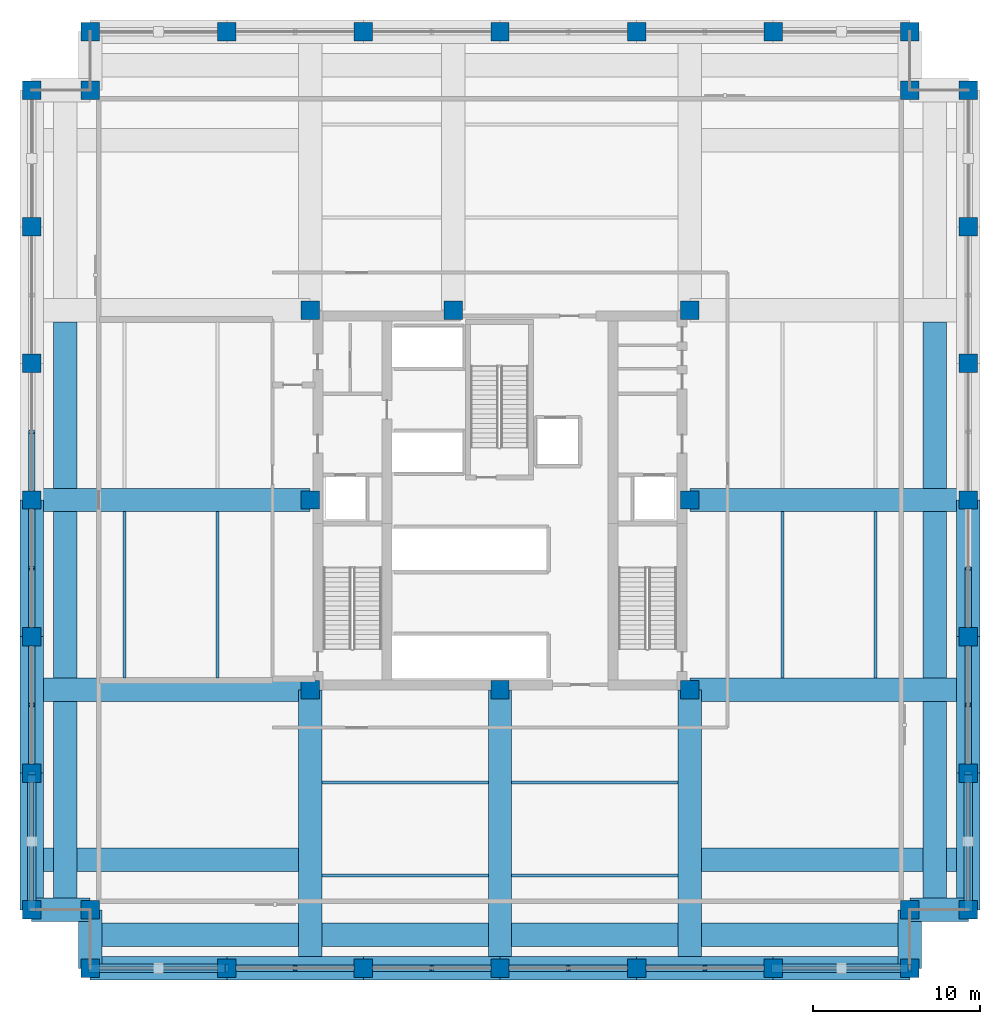
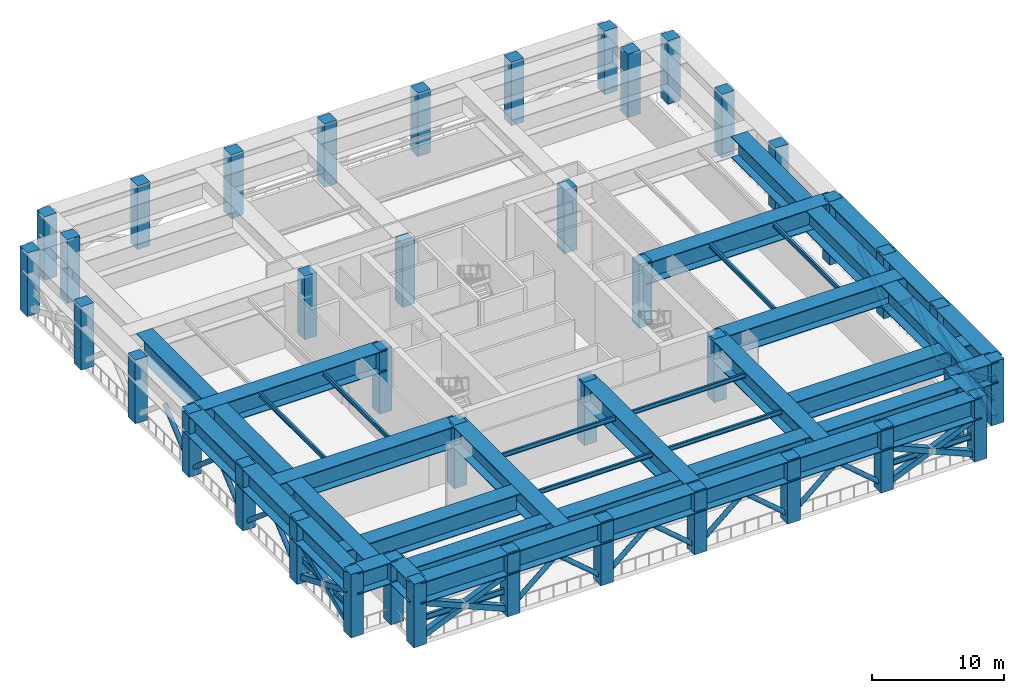
# One storey, part 1 of 12: 44 beams, 40 columns, 28 members.
"""IFC4 building model written with IfcOpenShell, lengths in metres."""

from ifc_helpers import new_model, si_unit, direction, frame, origin, origin_2d, place, context, subcontext, project, spatial, rectangle, hollow_rectangle, hollow_circle, i_section, extrude, material, material_profile, profile_set, type_object, element, save


model = new_model("IFC4")

# Units and contexts
model_context = context("Model", 3, precision=1e-05, world=origin(), true_north=direction((0.0, 1.0)))
body_context = subcontext(model_context, "Body", "Model", "MODEL_VIEW")
ifc_project = project(units=[si_unit("LENGTHUNIT", "METRE"), si_unit("AREAUNIT", "SQUARE_METRE"), si_unit("VOLUMEUNIT", "CUBIC_METRE"), si_unit("PLANEANGLEUNIT", "RADIAN"), si_unit("MASSUNIT", "GRAM", prefix="KILO")], contexts=[model_context])

# Site, building, storey
site_placement = place(None, origin())
site = spatial("IfcSite", under=ifc_project, at=site_placement, CompositionType="ELEMENT")
building_placement = place(site_placement, origin())
building = spatial("IfcBuilding", under=site, at=building_placement, Name="Nhamokura Convention Tower", CompositionType="ELEMENT")
storey_placement = place(building_placement, frame((0.0, 0.0, 99.75)))
storey = spatial("IfcBuildingStorey", under=building, at=storey_placement, Name="L24", CompositionType="ELEMENT", Elevation=99.75)

# Columns
ifc_material_1 = material(Name="Concrete C60/75", Category="concrete")
ifc_material_profile_1 = material_profile(ifc_material_1, rectangle(XDim=1.10009765625, YDim=1.10009765625, at=origin_2d()))
ifc_profile_set_1 = profile_set([ifc_material_profile_1], Name="Concrete C60/75")
column_type = type_object("IfcColumnType", Name="TubeColumn_Z1_1100", PredefinedType="COLUMN", material=ifc_profile_set_1)
for number, where, z_axis, x_axis, name in (
    (1, (20.64990234375, 20.64990234375, 0.0), (0.0, 0.0, 1.0), (1.0, 0.0, 0.0), "L24 Core Column CC-SW"),
    (2, (32.0, 20.64990234375, 0.0), (0.0, 0.0, 1.0), (1.0, 0.0, 0.0), "L24 Core Column CC-S"),
    (3, (43.35009765625, 20.64990234375, 0.0), (0.0, 0.0, 1.0), (1.0, 0.0, 0.0), "L24 Core Column CC-SE"),
    (4, (43.35009765625, 32.0, 0.0), (0.0, 0.0, 1.0), (1.0, 0.0, 0.0), "L24 Core Column CC-E"),
    (5, (43.35009765625, 43.35009765625, 0.0), (0.0, 0.0, 1.0), (1.0, 0.0, 0.0), "L24 Core Column CC-NE"),
    (6, (29.199951171875, 43.35009765625, 0.0), (0.0, 0.0, 1.0), (1.0, 0.0, 0.0), "L24 Core Column CC-N"),
    (7, (20.64990234375, 43.35009765625, 0.0), (0.0, 0.0, 1.0), (1.0, 0.0, 0.0), "L24 Core Column CC-NW"),
    (8, (20.64990234375, 32.0, 0.0), (0.0, 0.0, 1.0), (1.0, 0.0, 0.0), "L24 Core Column CC-W"),
    (9, (7.5, 4.0, 0.0), (0.0, 0.0, 1.0), (1.0, 0.0, 0.0), "L24 Perimeter Tube Column SW1"),
    (10, (7.5, 7.5, 0.0), (0.0, 0.0, 1.0), (1.0, 0.0, 0.0), "L24 Perimeter Tube Column SW0"),
    (11, (4.0, 7.5, 0.0), (0.0, 0.0, 1.0), (1.0, 0.0, 0.0), "L24 Perimeter Tube Column SW2"),
    (12, (56.5, 4.0, 0.0), (0.0, 0.0, 1.0), (1.0, 0.0, 0.0), "L24 Perimeter Tube Column SE1"),
    (13, (56.5, 7.5, 0.0), (0.0, 0.0, 1.0), (1.0, 0.0, 0.0), "L24 Perimeter Tube Column SE0"),
    (14, (60.0, 7.5, 0.0), (0.0, 0.0, 1.0), (1.0, 0.0, 0.0), "L24 Perimeter Tube Column SE2"),
    (15, (60.0, 56.5, 0.0), (0.0, 0.0, 1.0), (1.0, 0.0, 0.0), "L24 Perimeter Tube Column NE1"),
    (16, (56.5, 56.5, 0.0), (0.0, 0.0, 1.0), (1.0, 0.0, 0.0), "L24 Perimeter Tube Column NE0"),
    (17, (56.5, 60.0, 0.0), (0.0, 0.0, 1.0), (1.0, 0.0, 0.0), "L24 Perimeter Tube Column NE2"),
    (18, (7.5, 60.0, 0.0), (0.0, 0.0, 1.0), (1.0, 0.0, 0.0), "L24 Perimeter Tube Column NW1"),
    (19, (7.5, 56.5, 0.0), (0.0, 0.0, 1.0), (1.0, 0.0, 0.0), "L24 Perimeter Tube Column NW0"),
    (20, (4.0, 56.5, 0.0), (0.0, 0.0, 1.0), (1.0, 0.0, 0.0), "L24 Perimeter Tube Column NW2"),
    (21, (15.666748046875, 4.0, 0.0), (0.0, 0.0, 1.0), (1.0, 0.0, 0.0), "L24 Perimeter Tube Column S1"),
    (22, (15.666748046875, 60.0, 0.0), (0.0, 0.0, 1.0), (1.0, 0.0, 0.0), "L24 Perimeter Tube Column N1"),
    (23, (4.0, 15.666748046875, 0.0), (0.0, 0.0, 1.0), (1.0, 0.0, 0.0), "L24 Perimeter Tube Column W1"),
    (24, (60.0, 15.666748046875, 0.0), (0.0, 0.0, 1.0), (1.0, 0.0, 0.0), "L24 Perimeter Tube Column E1"),
    (25, (23.833251953125, 4.0, 0.0), (0.0, 0.0, 1.0), (1.0, 0.0, 0.0), "L24 Perimeter Tube Column S2"),
    (26, (23.833251953125, 60.0, 0.0), (0.0, 0.0, 1.0), (1.0, 0.0, 0.0), "L24 Perimeter Tube Column N2"),
    (27, (4.0, 23.833251953125, 0.0), (0.0, 0.0, 1.0), (1.0, 0.0, 0.0), "L24 Perimeter Tube Column W2"),
    (28, (60.0, 23.833251953125, 0.0), (0.0, 0.0, 1.0), (1.0, 0.0, 0.0), "L24 Perimeter Tube Column E2"),
    (29, (32.0, 4.0, 0.0), (0.0, 0.0, 1.0), (1.0, 0.0, 0.0), "L24 Perimeter Tube Column S3"),
    (30, (32.0, 60.0, 0.0), (0.0, 0.0, 1.0), (1.0, 0.0, 0.0), "L24 Perimeter Tube Column N3"),
    (31, (4.0, 32.0, 0.0), (0.0, 0.0, 1.0), (1.0, 0.0, 0.0), "L24 Perimeter Tube Column W3"),
    (32, (60.0, 32.0, 0.0), (0.0, 0.0, 1.0), (1.0, 0.0, 0.0), "L24 Perimeter Tube Column E3"),
    (33, (40.166748046875, 4.0, 0.0), (0.0, 0.0, 1.0), (1.0, 0.0, 0.0), "L24 Perimeter Tube Column S4"),
    (34, (40.166748046875, 60.0, 0.0), (0.0, 0.0, 1.0), (1.0, 0.0, 0.0), "L24 Perimeter Tube Column N4"),
    (35, (4.0, 40.166748046875, 0.0), (0.0, 0.0, 1.0), (1.0, 0.0, 0.0), "L24 Perimeter Tube Column W4"),
    (36, (60.0, 40.166748046875, 0.0), (0.0, 0.0, 1.0), (1.0, 0.0, 0.0), "L24 Perimeter Tube Column E4"),
    (37, (48.333251953125, 4.0, 0.0), (0.0, 0.0, 1.0), (1.0, 0.0, 0.0), "L24 Perimeter Tube Column S5"),
    (38, (48.333251953125, 60.0, 0.0), (0.0, 0.0, 1.0), (1.0, 0.0, 0.0), "L24 Perimeter Tube Column N5"),
    (39, (4.0, 48.333251953125, 0.0), (0.0, 0.0, 1.0), (1.0, 0.0, 0.0), "L24 Perimeter Tube Column W5"),
    (40, (60.0, 48.333251953125, 0.0), (0.0, 0.0, 1.0), (1.0, 0.0, 0.0), "L24 Perimeter Tube Column E5"),
):
    element("IfcColumn", number, at=place(storey_placement, frame(where, z_axis=z_axis, x_axis=x_axis)), inside=storey, type_object=column_type, Name=name, PredefinedType="COLUMN", context=body_context, shape_type="SweptSolid", body=[
        extrude(rectangle(XDim=1.10009765625, YDim=1.10009765625, at=origin_2d()), origin(), (0.0, 0.0, 1.0), 5.8798828125),
    ])

# Beams
ifc_material_2 = material(Name="Steel ASTM A992 Gr 50", Category="steel")
ifc_material_profile_2 = material_profile(ifc_material_2, i_section(OverallWidth=0.177001953125, OverallDepth=0.403076171875, WebThickness=0.007568359375, FlangeThickness=0.010986328125, at=origin_2d()))
ifc_profile_set_2 = profile_set([ifc_material_profile_2], Name="Steel ASTM A992 Gr 50")
beam_type_1 = type_object("IfcBeamType", Name="FloorJoist_W410X53", PredefinedType="JOIST", material=ifc_profile_set_2)
for number, where, z_axis, x_axis, name in (
    (41, (21.347900390625, 9.550048828125, 5.678466796875), (1.0, 0.0, 0.0), (0.0, 1.0, 0.0), "L24 Composite Floor Joist S1A"),
    (42, (32.697998046875, 9.550048828125, 5.678466796875), (1.0, 0.0, 0.0), (0.0, 1.0, 0.0), "L24 Composite Floor Joist S1B"),
    (43, (21.347900390625, 15.10009765625, 5.678466796875), (1.0, 0.0, 0.0), (0.0, 1.0, 0.0), "L24 Composite Floor Joist S2A"),
    (44, (32.697998046875, 15.10009765625, 5.678466796875), (1.0, 0.0, 0.0), (0.0, 1.0, 0.0), "L24 Composite Floor Joist S2B"),
    (45, (9.550048828125, 21.347900390625, 5.678466796875), (0.0, 1.0, 0.0), (-1.0, 0.0, 0.0), "L24 Composite Floor Joist W1A"),
    (46, (15.10009765625, 21.347900390625, 5.678466796875), (0.0, 1.0, 0.0), (-1.0, 0.0, 0.0), "L24 Composite Floor Joist W2A"),
    (47, (48.89990234375, 21.347900390625, 5.678466796875), (0.0, 1.0, 0.0), (-1.0, 0.0, 0.0), "L24 Composite Floor Joist E1A"),
    (48, (54.449951171875, 21.347900390625, 5.678466796875), (0.0, 1.0, 0.0), (-1.0, 0.0, 0.0), "L24 Composite Floor Joist E2A"),
):
    element("IfcBeam", number, at=place(storey_placement, frame(where, z_axis=z_axis, x_axis=x_axis)), inside=storey, type_object=beam_type_1, Name=name, PredefinedType="JOIST", context=body_context, shape_type="SweptSolid", body=[
        extrude(i_section(OverallWidth=0.177001953125, OverallDepth=0.403076171875, WebThickness=0.007568359375, FlangeThickness=0.010986328125, at=origin_2d()), origin(), (0.0, 0.0, 1.0), 9.9541015625),
    ])

# Members
ifc_material_3 = material(Name="Steel ASTM A572 Gr 50", Category="steel")
ifc_material_profile_3 = material_profile(ifc_material_3, hollow_rectangle(XDim=0.5, YDim=0.5, WallThickness=0.02490234375, at=origin_2d()))
ifc_profile_set_3 = profile_set([ifc_material_profile_3], Name="Steel ASTM A572 Gr 50")
member_type_1 = type_object("IfcMemberType", Name="OutriggerBrace_HSS500", PredefinedType="BRACE", material=ifc_profile_set_3)
member_1_placement = place(storey_placement, frame((7.5, 4.0, 0.35009765625), z_axis=(0.919960988503, 0.0, 0.392009922876), x_axis=(0.0, 1.0, 0.0)))
element("IfcMember", 49, at=member_1_placement, inside=storey, type_object=member_type_1, Name="L24 Continuous Outrigger Diagonal OUT-S0-1", PredefinedType="BRACE", context=body_context, shape_type="SweptSolid", body=[
    extrude(hollow_rectangle(XDim=0.5, YDim=0.5, WallThickness=0.02490234375, at=origin_2d()), origin(), (0.0, 0.0, 1.0), 8.877197265625),
])
member_2_placement = place(storey_placement, frame((7.5, 4.0, 3.830078125), z_axis=(0.9199567621, 0.0, -0.392019841165), x_axis=(0.0, 1.0, 0.0)))
element("IfcMember", 50, at=member_2_placement, inside=storey, type_object=member_type_1, Name="L24 Split Outrigger Diagonal OUT-S0-2A", PredefinedType="BRACE", context=body_context, shape_type="SweptSolid", body=[
    extrude(hollow_rectangle(XDim=0.5, YDim=0.5, WallThickness=0.02490234375, at=origin_2d()), origin(), (0.0, 0.0, 1.0), 4.4384765625),
])
member_3_placement = place(storey_placement, frame((11.583251953125, 4.0, 2.090087890625), z_axis=(0.919965214585, 0.0, -0.392000005043), x_axis=(0.0, 1.0, 0.0)))
element("IfcMember", 51, at=member_3_placement, inside=storey, type_object=member_type_1, Name="L24 Split Outrigger Diagonal OUT-S0-2B", PredefinedType="BRACE", context=body_context, shape_type="SweptSolid", body=[
    extrude(hollow_rectangle(XDim=0.5, YDim=0.5, WallThickness=0.02490234375, at=origin_2d()), origin(), (0.0, 0.0, 1.0), 4.438720703125),
])
member_4_placement = place(storey_placement, frame((48.333251953125, 4.0, 0.35009765625), z_axis=(0.919960988503, 0.0, 0.392009922876), x_axis=(0.0, 1.0, 0.0)))
element("IfcMember", 52, at=member_4_placement, inside=storey, type_object=member_type_1, Name="L24 Continuous Outrigger Diagonal OUT-S5-1", PredefinedType="BRACE", context=body_context, shape_type="SweptSolid", body=[
    extrude(hollow_rectangle(XDim=0.5, YDim=0.5, WallThickness=0.02490234375, at=origin_2d()), origin(), (0.0, 0.0, 1.0), 8.877197265625),
])
member_5_placement = place(storey_placement, frame((48.333251953125, 4.0, 3.830078125), z_axis=(0.919965214585, 0.0, -0.392000005043), x_axis=(0.0, 1.0, 0.0)))
element("IfcMember", 53, at=member_5_placement, inside=storey, type_object=member_type_1, Name="L24 Split Outrigger Diagonal OUT-S5-2A", PredefinedType="BRACE", context=body_context, shape_type="SweptSolid", body=[
    extrude(hollow_rectangle(XDim=0.5, YDim=0.5, WallThickness=0.02490234375, at=origin_2d()), origin(), (0.0, 0.0, 1.0), 4.438720703125),
])
member_6_placement = place(storey_placement, frame((52.416748046875, 4.0, 2.090087890625), z_axis=(0.9199567621, 0.0, -0.392019841165), x_axis=(0.0, 1.0, 0.0)))
element("IfcMember", 54, at=member_6_placement, inside=storey, type_object=member_type_1, Name="L24 Split Outrigger Diagonal OUT-S5-2B", PredefinedType="BRACE", context=body_context, shape_type="SweptSolid", body=[
    extrude(hollow_rectangle(XDim=0.5, YDim=0.5, WallThickness=0.02490234375, at=origin_2d()), origin(), (0.0, 0.0, 1.0), 4.4384765625),
])
member_7_placement = place(storey_placement, frame((4.0, 7.5, 0.35009765625), z_axis=(0.0, 0.919960988503, 0.392009922876), x_axis=(-1.0, 0.0, 0.0)))
element("IfcMember", 55, at=member_7_placement, inside=storey, type_object=member_type_1, Name="L24 Continuous Outrigger Diagonal OUT-W0-1", PredefinedType="BRACE", context=body_context, shape_type="SweptSolid", body=[
    extrude(hollow_rectangle(XDim=0.5, YDim=0.5, WallThickness=0.02490234375, at=origin_2d()), origin(), (0.0, 0.0, 1.0), 8.877197265625),
])
member_8_placement = place(storey_placement, frame((4.0, 7.5, 3.830078125), z_axis=(0.0, 0.9199567621, -0.392019841165), x_axis=(-1.0, 0.0, 0.0)))
element("IfcMember", 56, at=member_8_placement, inside=storey, type_object=member_type_1, Name="L24 Split Outrigger Diagonal OUT-W0-2A", PredefinedType="BRACE", context=body_context, shape_type="SweptSolid", body=[
    extrude(hollow_rectangle(XDim=0.5, YDim=0.5, WallThickness=0.02490234375, at=origin_2d()), origin(), (0.0, 0.0, 1.0), 4.4384765625),
])
member_9_placement = place(storey_placement, frame((4.0, 11.583251953125, 2.090087890625), z_axis=(0.0, 0.919965214585, -0.392000005043), x_axis=(-1.0, 0.0, 0.0)))
element("IfcMember", 57, at=member_9_placement, inside=storey, type_object=member_type_1, Name="L24 Split Outrigger Diagonal OUT-W0-2B", PredefinedType="BRACE", context=body_context, shape_type="SweptSolid", body=[
    extrude(hollow_rectangle(XDim=0.5, YDim=0.5, WallThickness=0.02490234375, at=origin_2d()), origin(), (0.0, 0.0, 1.0), 4.438720703125),
])
member_10_placement = place(storey_placement, frame((60.0, 7.5, 0.35009765625), z_axis=(0.0, 0.919960988503, 0.392009922876), x_axis=(-1.0, 0.0, 0.0)))
element("IfcMember", 58, at=member_10_placement, inside=storey, type_object=member_type_1, Name="L24 Continuous Outrigger Diagonal OUT-E0-1", PredefinedType="BRACE", context=body_context, shape_type="SweptSolid", body=[
    extrude(hollow_rectangle(XDim=0.5, YDim=0.5, WallThickness=0.02490234375, at=origin_2d()), origin(), (0.0, 0.0, 1.0), 8.877197265625),
])
member_11_placement = place(storey_placement, frame((60.0, 7.5, 3.830078125), z_axis=(0.0, 0.9199567621, -0.392019841165), x_axis=(-1.0, 0.0, 0.0)))
element("IfcMember", 59, at=member_11_placement, inside=storey, type_object=member_type_1, Name="L24 Split Outrigger Diagonal OUT-E0-2A", PredefinedType="BRACE", context=body_context, shape_type="SweptSolid", body=[
    extrude(hollow_rectangle(XDim=0.5, YDim=0.5, WallThickness=0.02490234375, at=origin_2d()), origin(), (0.0, 0.0, 1.0), 4.4384765625),
])
member_12_placement = place(storey_placement, frame((60.0, 11.583251953125, 2.090087890625), z_axis=(0.0, 0.919965214585, -0.392000005043), x_axis=(-1.0, 0.0, 0.0)))
element("IfcMember", 60, at=member_12_placement, inside=storey, type_object=member_type_1, Name="L24 Split Outrigger Diagonal OUT-E0-2B", PredefinedType="BRACE", context=body_context, shape_type="SweptSolid", body=[
    extrude(hollow_rectangle(XDim=0.5, YDim=0.5, WallThickness=0.02490234375, at=origin_2d()), origin(), (0.0, 0.0, 1.0), 4.438720703125),
])

# Beams
ifc_material_4 = material(Name="Steel ASTM A992 Gr 50", Category="steel")
ifc_material_profile_4 = material_profile(ifc_material_4, i_section(OverallWidth=0.208984375, OverallDepth=0.532958984375, WebThickness=0.01025390625, FlangeThickness=0.015625, at=origin_2d()))
ifc_profile_set_4 = profile_set([ifc_material_profile_4], Name="Steel ASTM A992 Gr 50")
beam_type_2 = type_object("IfcBeamType", Name="PrimaryGirder_W530X92", PredefinedType="BEAM", material=ifc_profile_set_4)
for number, where, z_axis, x_axis, name in (
    (61, (7.5, 4.0, 2.090087890625), (1.0, 0.0, 0.0), (0.0, 1.0, 0.0), "L24 Outrigger X-Brace Node Tie Beam OUT-S0"),
    (62, (48.333251953125, 4.0, 2.090087890625), (1.0, 0.0, 0.0), (0.0, 1.0, 0.0), "L24 Outrigger X-Brace Node Tie Beam OUT-S5"),
    (63, (4.0, 7.5, 2.090087890625), (0.0, 1.0, 0.0), (-1.0, 0.0, 0.0), "L24 Outrigger X-Brace Node Tie Beam OUT-W0"),
    (64, (60.0, 7.5, 2.090087890625), (0.0, 1.0, 0.0), (-1.0, 0.0, 0.0), "L24 Outrigger X-Brace Node Tie Beam OUT-E0"),
):
    element("IfcBeam", number, at=place(storey_placement, frame(where, z_axis=z_axis, x_axis=x_axis)), inside=storey, type_object=beam_type_2, Name=name, PredefinedType="BEAM", context=body_context, shape_type="SweptSolid", body=[
        extrude(i_section(OverallWidth=0.208984375, OverallDepth=0.532958984375, WebThickness=0.01025390625, FlangeThickness=0.015625, at=origin_2d()), origin(), (0.0, 0.0, 1.0), 8.166748046875),
    ])
ifc_material_5 = material(Name="Steel ASTM A572 Gr 50", Category="steel")
ifc_material_profile_5 = material_profile(ifc_material_5, i_section(OverallWidth=1.39990234375, OverallDepth=1.9599609375, WebThickness=0.054931640625, FlangeThickness=0.06005859375, at=origin_2d()))
ifc_profile_set_5 = profile_set([ifc_material_profile_5], Name="Steel ASTM A572 Gr 50")
beam_type_3 = type_object("IfcBeamType", Name="TransferGirder_2000", PredefinedType="USERDEFINED", material=ifc_profile_set_5)
beam_1_placement = place(storey_placement, frame((7.5, 4.0, 4.89990234375), z_axis=(1.0, 0.0, 0.0), x_axis=(0.0, 1.0, 0.0)))
element("IfcBeam", 65, at=beam_1_placement, inside=storey, type_object=beam_type_3, Name="L24 Perimeter Transfer Spandrel SOUTH 1", ObjectType="TRANSFER_GIRDER", PredefinedType="USERDEFINED", context=body_context, shape_type="SweptSolid", body=[
    extrude(i_section(OverallWidth=1.39990234375, OverallDepth=1.9599609375, WebThickness=0.054931640625, FlangeThickness=0.06005859375, at=origin_2d()), origin(), (0.0, 0.0, 1.0), 8.166748046875),
])
beam_2_placement = place(storey_placement, frame((15.666748046875, 4.0, 4.89990234375), z_axis=(1.0, 0.0, 0.0), x_axis=(0.0, 1.0, 0.0)))
element("IfcBeam", 66, at=beam_2_placement, inside=storey, type_object=beam_type_3, Name="L24 Perimeter Transfer Spandrel SOUTH 2", ObjectType="TRANSFER_GIRDER", PredefinedType="USERDEFINED", context=body_context, shape_type="SweptSolid", body=[
    extrude(i_section(OverallWidth=1.39990234375, OverallDepth=1.9599609375, WebThickness=0.054931640625, FlangeThickness=0.06005859375, at=origin_2d()), origin(), (0.0, 0.0, 1.0), 8.16650390625),
])
for number, where, z_axis, x_axis, name in (
    (67, (23.833251953125, 4.0, 4.89990234375), (1.0, 0.0, 0.0), (0.0, 1.0, 0.0), "L24 Perimeter Transfer Spandrel SOUTH 3"),
    (68, (32.0, 4.0, 4.89990234375), (1.0, 0.0, 0.0), (0.0, 1.0, 0.0), "L24 Perimeter Transfer Spandrel SOUTH 4"),
):
    element("IfcBeam", number, at=place(storey_placement, frame(where, z_axis=z_axis, x_axis=x_axis)), inside=storey, type_object=beam_type_3, Name=name, ObjectType="TRANSFER_GIRDER", PredefinedType="USERDEFINED", context=body_context, shape_type="SweptSolid", body=[
        extrude(i_section(OverallWidth=1.39990234375, OverallDepth=1.9599609375, WebThickness=0.054931640625, FlangeThickness=0.06005859375, at=origin_2d()), origin(), (0.0, 0.0, 1.0), 8.166748046875),
    ])
beam_3_placement = place(storey_placement, frame((40.166748046875, 4.0, 4.89990234375), z_axis=(1.0, 0.0, 0.0), x_axis=(0.0, 1.0, 0.0)))
element("IfcBeam", 69, at=beam_3_placement, inside=storey, type_object=beam_type_3, Name="L24 Perimeter Transfer Spandrel SOUTH 5", ObjectType="TRANSFER_GIRDER", PredefinedType="USERDEFINED", context=body_context, shape_type="SweptSolid", body=[
    extrude(i_section(OverallWidth=1.39990234375, OverallDepth=1.9599609375, WebThickness=0.054931640625, FlangeThickness=0.06005859375, at=origin_2d()), origin(), (0.0, 0.0, 1.0), 8.16650390625),
])
for number, where, z_axis, x_axis, name in (
    (70, (48.333251953125, 4.0, 4.89990234375), (1.0, 0.0, 0.0), (0.0, 1.0, 0.0), "L24 Perimeter Transfer Spandrel SOUTH 6"),
    (71, (4.0, 7.5, 4.89990234375), (0.0, 1.0, 0.0), (-1.0, 0.0, 0.0), "L24 Perimeter Transfer Spandrel WEST 1"),
):
    element("IfcBeam", number, at=place(storey_placement, frame(where, z_axis=z_axis, x_axis=x_axis)), inside=storey, type_object=beam_type_3, Name=name, ObjectType="TRANSFER_GIRDER", PredefinedType="USERDEFINED", context=body_context, shape_type="SweptSolid", body=[
        extrude(i_section(OverallWidth=1.39990234375, OverallDepth=1.9599609375, WebThickness=0.054931640625, FlangeThickness=0.06005859375, at=origin_2d()), origin(), (0.0, 0.0, 1.0), 8.166748046875),
    ])
beam_4_placement = place(storey_placement, frame((4.0, 15.666748046875, 4.89990234375), z_axis=(0.0, 1.0, 0.0), x_axis=(-1.0, 0.0, 0.0)))
element("IfcBeam", 72, at=beam_4_placement, inside=storey, type_object=beam_type_3, Name="L24 Perimeter Transfer Spandrel WEST 2", ObjectType="TRANSFER_GIRDER", PredefinedType="USERDEFINED", context=body_context, shape_type="SweptSolid", body=[
    extrude(i_section(OverallWidth=1.39990234375, OverallDepth=1.9599609375, WebThickness=0.054931640625, FlangeThickness=0.06005859375, at=origin_2d()), origin(), (0.0, 0.0, 1.0), 8.16650390625),
])
for number, where, z_axis, x_axis, name in (
    (73, (4.0, 23.833251953125, 4.89990234375), (0.0, 1.0, 0.0), (-1.0, 0.0, 0.0), "L24 Perimeter Transfer Spandrel WEST 3"),
    (74, (60.0, 7.5, 4.89990234375), (0.0, 1.0, 0.0), (-1.0, 0.0, 0.0), "L24 Perimeter Transfer Spandrel EAST 1"),
):
    element("IfcBeam", number, at=place(storey_placement, frame(where, z_axis=z_axis, x_axis=x_axis)), inside=storey, type_object=beam_type_3, Name=name, ObjectType="TRANSFER_GIRDER", PredefinedType="USERDEFINED", context=body_context, shape_type="SweptSolid", body=[
        extrude(i_section(OverallWidth=1.39990234375, OverallDepth=1.9599609375, WebThickness=0.054931640625, FlangeThickness=0.06005859375, at=origin_2d()), origin(), (0.0, 0.0, 1.0), 8.166748046875),
    ])
beam_5_placement = place(storey_placement, frame((60.0, 15.666748046875, 4.89990234375), z_axis=(0.0, 1.0, 0.0), x_axis=(-1.0, 0.0, 0.0)))
element("IfcBeam", 75, at=beam_5_placement, inside=storey, type_object=beam_type_3, Name="L24 Perimeter Transfer Spandrel EAST 2", ObjectType="TRANSFER_GIRDER", PredefinedType="USERDEFINED", context=body_context, shape_type="SweptSolid", body=[
    extrude(i_section(OverallWidth=1.39990234375, OverallDepth=1.9599609375, WebThickness=0.054931640625, FlangeThickness=0.06005859375, at=origin_2d()), origin(), (0.0, 0.0, 1.0), 8.16650390625),
])
beam_6_placement = place(storey_placement, frame((60.0, 23.833251953125, 4.89990234375), z_axis=(0.0, 1.0, 0.0), x_axis=(-1.0, 0.0, 0.0)))
element("IfcBeam", 76, at=beam_6_placement, inside=storey, type_object=beam_type_3, Name="L24 Perimeter Transfer Spandrel EAST 3", ObjectType="TRANSFER_GIRDER", PredefinedType="USERDEFINED", context=body_context, shape_type="SweptSolid", body=[
    extrude(i_section(OverallWidth=1.39990234375, OverallDepth=1.9599609375, WebThickness=0.054931640625, FlangeThickness=0.06005859375, at=origin_2d()), origin(), (0.0, 0.0, 1.0), 8.166748046875),
])
for number, where, z_axis, x_axis, name in (
    (77, (7.5, 4.0, 4.89990234375), (0.0, 1.0, 0.0), (-1.0, 0.0, 0.0), "L24 Notch Transfer Spandrel SW1"),
    (78, (7.5, 7.5, 4.89990234375), (-1.0, 0.0, 0.0), (0.0, -1.0, 0.0), "L24 Notch Transfer Spandrel SW2"),
    (79, (56.5, 4.0, 4.89990234375), (0.0, 1.0, 0.0), (-1.0, 0.0, 0.0), "L24 Notch Transfer Spandrel SE1"),
    (80, (56.5, 7.5, 4.89990234375), (1.0, 0.0, 0.0), (0.0, 1.0, 0.0), "L24 Notch Transfer Spandrel SE2"),
):
    element("IfcBeam", number, at=place(storey_placement, frame(where, z_axis=z_axis, x_axis=x_axis)), inside=storey, type_object=beam_type_3, Name=name, ObjectType="TRANSFER_GIRDER", PredefinedType="USERDEFINED", context=body_context, shape_type="SweptSolid", body=[
        extrude(i_section(OverallWidth=1.39990234375, OverallDepth=1.9599609375, WebThickness=0.054931640625, FlangeThickness=0.06005859375, at=origin_2d()), origin(), (0.0, 0.0, 1.0), 3.5),
    ])
beam_7_placement = place(storey_placement, frame((8.197998046875, 6.0, 4.89990234375), z_axis=(1.0, 0.0, 0.0), x_axis=(0.0, 1.0, 0.0)))
element("IfcBeam", 81, at=beam_7_placement, inside=storey, type_object=beam_type_3, Name="L24 Upper-Line Transfer Girder TGU-SW", ObjectType="TRANSFER_GIRDER", PredefinedType="USERDEFINED", context=body_context, shape_type="SweptSolid", body=[
    extrude(i_section(OverallWidth=1.39990234375, OverallDepth=1.9599609375, WebThickness=0.054931640625, FlangeThickness=0.06005859375, at=origin_2d()), origin(), (0.0, 0.0, 1.0), 11.75390625),
])
beam_8_placement = place(storey_placement, frame((21.347900390625, 6.0, 4.89990234375), z_axis=(1.0, 0.0, 0.0), x_axis=(0.0, 1.0, 0.0)))
element("IfcBeam", 82, at=beam_8_placement, inside=storey, type_object=beam_type_3, Name="L24 Upper-Line Transfer Girder TGU-SM", ObjectType="TRANSFER_GIRDER", PredefinedType="USERDEFINED", context=body_context, shape_type="SweptSolid", body=[
    extrude(i_section(OverallWidth=1.39990234375, OverallDepth=1.9599609375, WebThickness=0.054931640625, FlangeThickness=0.06005859375, at=origin_2d()), origin(), (0.0, 0.0, 1.0), 21.30419921875),
])
for number, where, z_axis, x_axis, name in (
    (83, (44.048095703125, 6.0, 4.89990234375), (1.0, 0.0, 0.0), (0.0, 1.0, 0.0), "L24 Upper-Line Transfer Girder TGU-SE"),
    (84, (6.0, 8.197998046875, 4.89990234375), (0.0, 1.0, 0.0), (-1.0, 0.0, 0.0), "L24 Upper-Line Transfer Girder TGU-WS"),
):
    element("IfcBeam", number, at=place(storey_placement, frame(where, z_axis=z_axis, x_axis=x_axis)), inside=storey, type_object=beam_type_3, Name=name, ObjectType="TRANSFER_GIRDER", PredefinedType="USERDEFINED", context=body_context, shape_type="SweptSolid", body=[
        extrude(i_section(OverallWidth=1.39990234375, OverallDepth=1.9599609375, WebThickness=0.054931640625, FlangeThickness=0.06005859375, at=origin_2d()), origin(), (0.0, 0.0, 1.0), 11.75390625),
    ])
beam_9_placement = place(storey_placement, frame((6.0, 21.347900390625, 4.89990234375), z_axis=(0.0, 1.0, 0.0), x_axis=(-1.0, 0.0, 0.0)))
element("IfcBeam", 85, at=beam_9_placement, inside=storey, type_object=beam_type_3, Name="L24 Upper-Line Transfer Girder TGU-WM", ObjectType="TRANSFER_GIRDER", PredefinedType="USERDEFINED", context=body_context, shape_type="SweptSolid", body=[
    extrude(i_section(OverallWidth=1.39990234375, OverallDepth=1.9599609375, WebThickness=0.054931640625, FlangeThickness=0.06005859375, at=origin_2d()), origin(), (0.0, 0.0, 1.0), 21.30419921875),
])
beam_10_placement = place(storey_placement, frame((58.0, 8.197998046875, 4.89990234375), z_axis=(0.0, 1.0, 0.0), x_axis=(-1.0, 0.0, 0.0)))
element("IfcBeam", 86, at=beam_10_placement, inside=storey, type_object=beam_type_3, Name="L24 Upper-Line Transfer Girder TGU-ES", ObjectType="TRANSFER_GIRDER", PredefinedType="USERDEFINED", context=body_context, shape_type="SweptSolid", body=[
    extrude(i_section(OverallWidth=1.39990234375, OverallDepth=1.9599609375, WebThickness=0.054931640625, FlangeThickness=0.06005859375, at=origin_2d()), origin(), (0.0, 0.0, 1.0), 11.75390625),
])
beam_11_placement = place(storey_placement, frame((58.0, 21.347900390625, 4.89990234375), z_axis=(0.0, 1.0, 0.0), x_axis=(-1.0, 0.0, 0.0)))
element("IfcBeam", 87, at=beam_11_placement, inside=storey, type_object=beam_type_3, Name="L24 Upper-Line Transfer Girder TGU-EM", ObjectType="TRANSFER_GIRDER", PredefinedType="USERDEFINED", context=body_context, shape_type="SweptSolid", body=[
    extrude(i_section(OverallWidth=1.39990234375, OverallDepth=1.9599609375, WebThickness=0.054931640625, FlangeThickness=0.06005859375, at=origin_2d()), origin(), (0.0, 0.0, 1.0), 21.30419921875),
])
for number, where, z_axis, x_axis, name in (
    (88, (4.697998046875, 10.5, 4.89990234375), (1.0, 0.0, 0.0), (0.0, 1.0, 0.0), "L24 Upper-Line Transfer Girder TGN-SW0"),
    (89, (44.048095703125, 10.5, 4.89990234375), (1.0, 0.0, 0.0), (0.0, 1.0, 0.0), "L24 Upper-Line Transfer Girder TGN-SE0"),
):
    element("IfcBeam", number, at=place(storey_placement, frame(where, z_axis=z_axis, x_axis=x_axis)), inside=storey, type_object=beam_type_3, Name=name, ObjectType="TRANSFER_GIRDER", PredefinedType="USERDEFINED", context=body_context, shape_type="SweptSolid", body=[
        extrude(i_section(OverallWidth=1.39990234375, OverallDepth=1.9599609375, WebThickness=0.054931640625, FlangeThickness=0.06005859375, at=origin_2d()), origin(), (0.0, 0.0, 1.0), 15.25390625),
    ])
for number, where, z_axis, x_axis, name in (
    (90, (20.64990234375, 4.0, 4.89990234375), (0.0, 1.0, 0.0), (-1.0, 0.0, 0.0), "L24 Primary Floor Girder PG-S1"),
    (91, (32.0, 4.0, 4.89990234375), (0.0, 1.0, 0.0), (-1.0, 0.0, 0.0), "L24 Primary Floor Girder PG-S2"),
    (92, (43.35009765625, 4.0, 4.89990234375), (0.0, 1.0, 0.0), (-1.0, 0.0, 0.0), "L24 Primary Floor Girder PG-S3"),
    (93, (4.0, 20.64990234375, 4.89990234375), (1.0, 0.0, 0.0), (0.0, 1.0, 0.0), "L24 Primary Floor Girder PG-W1"),
    (94, (4.0, 32.0, 4.89990234375), (1.0, 0.0, 0.0), (0.0, 1.0, 0.0), "L24 Primary Floor Girder PG-W2"),
    (95, (43.35009765625, 20.64990234375, 4.89990234375), (1.0, 0.0, 0.0), (0.0, 1.0, 0.0), "L24 Primary Floor Girder PG-E1"),
    (96, (43.35009765625, 32.0, 4.89990234375), (1.0, 0.0, 0.0), (0.0, 1.0, 0.0), "L24 Primary Floor Girder PG-E2"),
):
    element("IfcBeam", number, at=place(storey_placement, frame(where, z_axis=z_axis, x_axis=x_axis)), inside=storey, type_object=beam_type_3, Name=name, ObjectType="TRANSFER_GIRDER", PredefinedType="USERDEFINED", context=body_context, shape_type="SweptSolid", body=[
        extrude(i_section(OverallWidth=1.39990234375, OverallDepth=1.9599609375, WebThickness=0.054931640625, FlangeThickness=0.06005859375, at=origin_2d()), origin(), (0.0, 0.0, 1.0), 16.64990234375),
    ])

# Members
ifc_material_6 = material(Name="Steel ASTM A572 Gr 50", Category="steel")
ifc_material_profile_6 = material_profile(ifc_material_6, hollow_circle(Radius=0.203125, WallThickness=0.01611328125, at=origin_2d()))
ifc_profile_set_6 = profile_set([ifc_material_profile_6], Name="Steel ASTM A572 Gr 50")
member_type_2 = type_object("IfcMemberType", Name="WindPortalStrut_CHS406", PredefinedType="STRUT", material=ifc_profile_set_6)
for number, where, z_axis, x_axis, name in (
    (97, (15.666748046875, 4.0, 0.35009765625), (0.761090955501, 0.0, 0.648645170686), (0.0, 1.0, 0.0), "L24 Belt Truss Member SOUTH 1A"),
    (98, (19.75, 4.0, 3.830078125), (0.761090955501, 0.0, -0.648645170686), (0.0, 1.0, 0.0), "L24 Belt Truss Member SOUTH 1B"),
):
    element("IfcMember", number, at=place(storey_placement, frame(where, z_axis=z_axis, x_axis=x_axis)), inside=storey, type_object=member_type_2, Name=name, PredefinedType="STRUT", context=body_context, shape_type="SweptSolid", body=[
        extrude(hollow_circle(Radius=0.203125, WallThickness=0.01611328125, at=origin_2d()), origin(), (0.0, 0.0, 1.0), 5.364990234375),
    ])
member_13_placement = place(storey_placement, frame((23.833251953125, 4.0, 0.35009765625), z_axis=(0.761110100805, 0.0, 0.64862270578), x_axis=(0.0, 1.0, 0.0)))
element("IfcMember", 99, at=member_13_placement, inside=storey, type_object=member_type_2, Name="L24 Belt Truss Member SOUTH 2A", PredefinedType="STRUT", context=body_context, shape_type="SweptSolid", body=[
    extrude(hollow_circle(Radius=0.203125, WallThickness=0.01611328125, at=origin_2d()), origin(), (0.0, 0.0, 1.0), 5.365234375),
])
for number, where, z_axis, x_axis, name in (
    (100, (27.916748046875, 4.0, 3.830078125), (0.761090955501, 0.0, -0.648645170686), (0.0, 1.0, 0.0), "L24 Belt Truss Member SOUTH 2B"),
    (101, (32.0, 4.0, 0.35009765625), (0.761090955501, 0.0, 0.648645170686), (0.0, 1.0, 0.0), "L24 Belt Truss Member SOUTH 3A"),
):
    element("IfcMember", number, at=place(storey_placement, frame(where, z_axis=z_axis, x_axis=x_axis)), inside=storey, type_object=member_type_2, Name=name, PredefinedType="STRUT", context=body_context, shape_type="SweptSolid", body=[
        extrude(hollow_circle(Radius=0.203125, WallThickness=0.01611328125, at=origin_2d()), origin(), (0.0, 0.0, 1.0), 5.364990234375),
    ])
member_14_placement = place(storey_placement, frame((36.083251953125, 4.0, 3.830078125), z_axis=(0.761110100805, 0.0, -0.64862270578), x_axis=(0.0, 1.0, 0.0)))
element("IfcMember", 102, at=member_14_placement, inside=storey, type_object=member_type_2, Name="L24 Belt Truss Member SOUTH 3B", PredefinedType="STRUT", context=body_context, shape_type="SweptSolid", body=[
    extrude(hollow_circle(Radius=0.203125, WallThickness=0.01611328125, at=origin_2d()), origin(), (0.0, 0.0, 1.0), 5.365234375),
])
for number, where, z_axis, x_axis, name in (
    (103, (40.166748046875, 4.0, 0.35009765625), (0.761090955501, 0.0, 0.648645170686), (0.0, 1.0, 0.0), "L24 Belt Truss Member SOUTH 4A"),
    (104, (44.25, 4.0, 3.830078125), (0.761090955501, 0.0, -0.648645170686), (0.0, 1.0, 0.0), "L24 Belt Truss Member SOUTH 4B"),
    (105, (4.0, 15.666748046875, 0.35009765625), (0.0, 0.761090955501, 0.648645170686), (-1.0, 0.0, 0.0), "L24 Belt Truss Member WEST 1A"),
    (106, (4.0, 19.75, 3.830078125), (0.0, 0.761090955501, -0.648645170686), (-1.0, 0.0, 0.0), "L24 Belt Truss Member WEST 1B"),
):
    element("IfcMember", number, at=place(storey_placement, frame(where, z_axis=z_axis, x_axis=x_axis)), inside=storey, type_object=member_type_2, Name=name, PredefinedType="STRUT", context=body_context, shape_type="SweptSolid", body=[
        extrude(hollow_circle(Radius=0.203125, WallThickness=0.01611328125, at=origin_2d()), origin(), (0.0, 0.0, 1.0), 5.364990234375),
    ])
member_15_placement = place(storey_placement, frame((4.0, 23.833251953125, 0.35009765625), z_axis=(0.0, 0.761110100805, 0.64862270578), x_axis=(-1.0, 0.0, 0.0)))
element("IfcMember", 107, at=member_15_placement, inside=storey, type_object=member_type_2, Name="L24 Belt Truss Member WEST 2A", PredefinedType="STRUT", context=body_context, shape_type="SweptSolid", body=[
    extrude(hollow_circle(Radius=0.203125, WallThickness=0.01611328125, at=origin_2d()), origin(), (0.0, 0.0, 1.0), 5.365234375),
])
for number, where, z_axis, x_axis, name in (
    (108, (4.0, 27.916748046875, 3.830078125), (0.0, 0.761090955501, -0.648645170686), (-1.0, 0.0, 0.0), "L24 Belt Truss Member WEST 2B"),
    (109, (4.0, 32.0, 0.35009765625), (0.0, 0.761090955501, 0.648645170686), (-1.0, 0.0, 0.0), "L24 Belt Truss Member WEST 3A"),
    (110, (60.0, 15.666748046875, 0.35009765625), (0.0, 0.761090955501, 0.648645170686), (-1.0, 0.0, 0.0), "L24 Belt Truss Member EAST 1A"),
    (111, (60.0, 19.75, 3.830078125), (0.0, 0.761090955501, -0.648645170686), (-1.0, 0.0, 0.0), "L24 Belt Truss Member EAST 1B"),
):
    element("IfcMember", number, at=place(storey_placement, frame(where, z_axis=z_axis, x_axis=x_axis)), inside=storey, type_object=member_type_2, Name=name, PredefinedType="STRUT", context=body_context, shape_type="SweptSolid", body=[
        extrude(hollow_circle(Radius=0.203125, WallThickness=0.01611328125, at=origin_2d()), origin(), (0.0, 0.0, 1.0), 5.364990234375),
    ])
member_16_placement = place(storey_placement, frame((60.0, 23.833251953125, 0.35009765625), z_axis=(0.0, 0.761110100805, 0.64862270578), x_axis=(-1.0, 0.0, 0.0)))
element("IfcMember", 112, at=member_16_placement, inside=storey, type_object=member_type_2, Name="L24 Belt Truss Member EAST 2A", PredefinedType="STRUT", context=body_context, shape_type="SweptSolid", body=[
    extrude(hollow_circle(Radius=0.203125, WallThickness=0.01611328125, at=origin_2d()), origin(), (0.0, 0.0, 1.0), 5.365234375),
])

save(model, "model.ifc")
